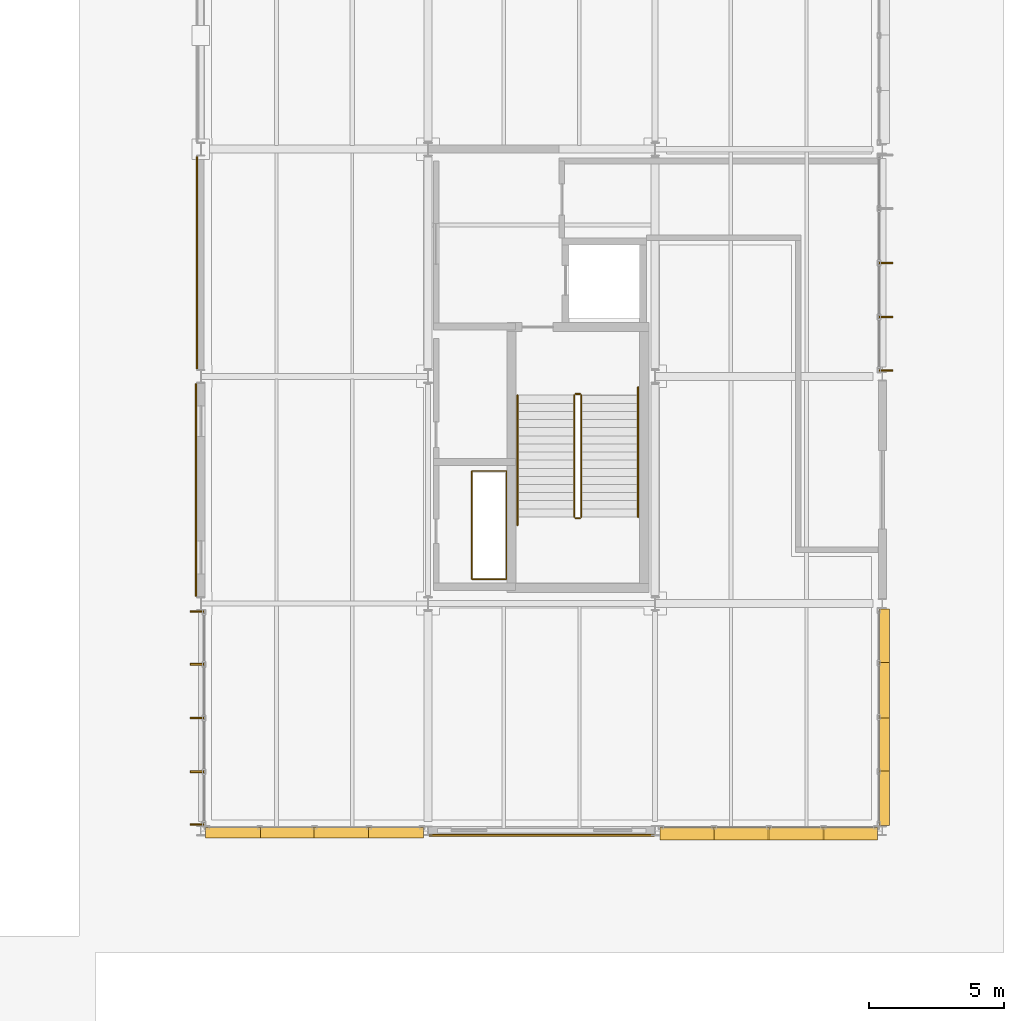
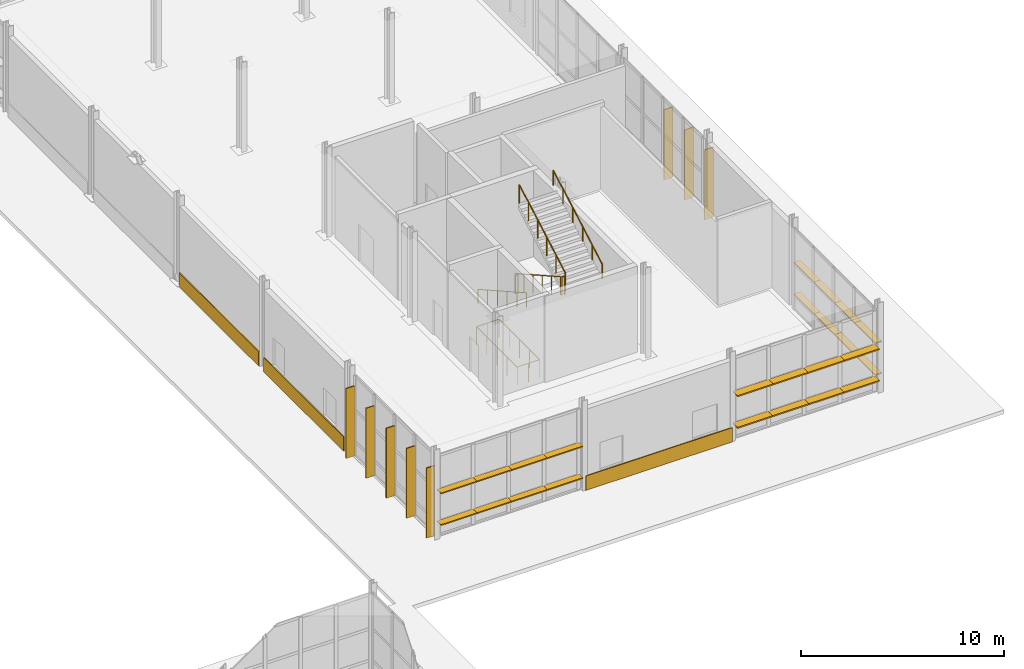
# One storey, part 117 of 124: 32 shading devices, 7 railings, 3 coverings.
"""IFC4 building model written with IfcOpenShell, lengths in metres."""

from ifc_helpers import new_model, si_unit, direction, frame, origin, origin_2d, place, context, subcontext, project, spatial, rectangle, circle, extrude, material, layer, layer_set, type_object, element, save


model = new_model("IFC4")

# Units and contexts
model_context = context("Model", 3, precision=1e-05, world=origin(), true_north=direction((0.0, 1.0)))
body_context = subcontext(model_context, "Body", "Model", "MODEL_VIEW")
ifc_project = project(units=[si_unit("LENGTHUNIT", "METRE"), si_unit("AREAUNIT", "SQUARE_METRE"), si_unit("VOLUMEUNIT", "CUBIC_METRE"), si_unit("PLANEANGLEUNIT", "RADIAN"), si_unit("MASSUNIT", "GRAM", prefix="KILO")], contexts=[model_context])

# Site, building, storey
site_placement = place(None, origin())
site = spatial("IfcSite", under=ifc_project, at=site_placement, CompositionType="ELEMENT")
building_placement = place(site_placement, origin())
building = spatial("IfcBuilding", under=site, at=building_placement, Name="Mersafa Astral City Hall", CompositionType="ELEMENT")
storey_placement = place(building_placement, origin())
storey = spatial("IfcBuildingStorey", under=building, at=storey_placement, Name="L00", CompositionType="ELEMENT", Elevation=0.0)

# Coverings
ifc_material_1 = material(Name="Cairo Mokattam buff limestone cladding", Category="masonry")
ifc_layer = layer(ifc_material_1, 0.06005859375, Name="Cairo Mokattam buff limestone cladding")
ifc_layer_set = layer_set([ifc_layer], Name="Cairo Mokattam buff limestone cladding — ENV-COV-LIMESTONE-60")
covering_type = type_object("IfcCoveringType", Name="ENV-COV-LIMESTONE-60", PredefinedType="CLADDING", material=ifc_layer_set)
for number, where, z_axis, x_axis, name in (
    (1, (159.46044921875, 63.0, 0.0), (0.0, 0.0, 1.0), (0.0, -1.0, 0.0), "L00 Cairo buff limestone rainscreen cladding 25"),
    (2, (159.423095703125, 54.60009765625, 0.0), (0.0, 0.0, 1.0), (0.0, -1.0, 0.0), "L00 Cairo buff limestone rainscreen cladding 26"),
):
    element("IfcCovering", number, at=place(storey_placement, frame(where, z_axis=z_axis, x_axis=x_axis)), inside=storey, type_object=covering_type, Name=name, PredefinedType="CLADDING", context=body_context, shape_type="SweptSolid", body=[
        extrude(rectangle(XDim=7.847900390625, YDim=0.06005859375, at=origin_2d()), origin(), (0.0, 0.0, 1.0), 0.860107421875),
    ])
covering_placement = place(storey_placement, frame((172.199951171875, 41.83056640625, 0.0), z_axis=(0.0, 0.0, 1.0), x_axis=(1.0, 0.0, 0.0)))
element("IfcCovering", 3, at=covering_placement, inside=storey, type_object=covering_type, Name="L00 Cairo buff limestone rainscreen cladding 27", PredefinedType="CLADDING", context=body_context, shape_type="SweptSolid", body=[
    extrude(rectangle(XDim=8.323974609375, YDim=0.06005859375, at=origin_2d()), origin(), (0.0, 0.0, 1.0), 0.860107421875),
])

# Shading devices
ifc_material_2 = material(Name="Anodised bronze aluminium solar fin", Category="aluminium")
shading_device_type_1 = type_object("IfcShadingDeviceType", Name="ENV-SHD-FIN-500B", PredefinedType="USERDEFINED", material=ifc_material_2)
for number, where, z_axis, x_axis, name in (
    (4, (159.455078125, 50.10791015625, -0.01513671875), (0.0, 0.0, 1.0), (0.0, -1.0, 0.0), "L00 Vertical bronze solar fin 138"),
    (5, (159.455078125, 48.151611328125, -0.01513671875), (0.0, 0.0, 1.0), (0.0, -1.0, 0.0), "L00 Vertical bronze solar fin 139"),
    (6, (159.455078125, 46.1650390625, -0.01513671875), (0.0, 0.0, 1.0), (0.0, -1.0, 0.0), "L00 Vertical bronze solar fin 140"),
    (7, (159.455078125, 44.178466796875, -0.01513671875), (0.0, 0.0, 1.0), (0.0, -1.0, 0.0), "L00 Vertical bronze solar fin 141"),
    (8, (159.455078125, 42.221923828125, -0.01513671875), (0.0, 0.0, 1.0), (0.0, -1.0, 0.0), "L00 Vertical bronze solar fin 142"),
    (9, (184.945068359375, 59.011962890625, -0.01513671875), (0.0, 0.0, 1.0), (0.0, 1.0, 0.0), "L00 Vertical bronze solar fin 167"),
    (10, (184.945068359375, 60.988525390625, -0.01513671875), (0.0, 0.0, 1.0), (0.0, 1.0, 0.0), "L00 Vertical bronze solar fin 168"),
    (11, (184.945068359375, 62.9951171875, -0.01513671875), (0.0, 0.0, 1.0), (0.0, 1.0, 0.0), "L00 Vertical bronze solar fin 169"),
):
    element("IfcShadingDevice", number, at=place(storey_placement, frame(where, z_axis=z_axis, x_axis=x_axis)), inside=storey, type_object=shading_device_type_1, Name=name, ObjectType="FIN", PredefinedType="USERDEFINED", context=body_context, shape_type="SweptSolid", body=[
        extrude(rectangle(XDim=0.06005859375, YDim=0.5, at=origin_2d()), origin(), (0.0, 0.0, 1.0), 4.199951171875),
    ])
ifc_material_3 = material(Name="Kiln-dried cedar timber brise-soleil blade", Category="wood")
shading_device_type_2 = type_object("IfcShadingDeviceType", Name="ENV-SHD-LOUVRE-380", PredefinedType="JALOUSIE", material=ifc_material_3)
shading_device_1_placement = place(storey_placement, frame((160.78662109375, 41.919921875, 0.81494140625), z_axis=(0.0, 0.0, 1.0), x_axis=(1.0, 0.0, 0.0)))
element("IfcShadingDevice", 12, at=shading_device_1_placement, inside=storey, type_object=shading_device_type_2, Name="L00 Horizontal cedar brise-soleil louvre 143", PredefinedType="JALOUSIE", context=body_context, shape_type="SweptSolid", body=[
    extrude(rectangle(XDim=2.029052734375, YDim=0.3798828125, at=origin_2d()), origin(), (0.0, 0.0, 1.0), 0.070068359375),
])
for number, where, z_axis, x_axis, name in (
    (13, (162.79052734375, 41.919921875, 0.81494140625), (0.0, 0.0, 1.0), (1.0, 0.0, 0.0), "L00 Horizontal cedar brise-soleil louvre 144"),
    (14, (164.8095703125, 41.919921875, 0.81494140625), (0.0, 0.0, 1.0), (1.0, 0.0, 0.0), "L00 Horizontal cedar brise-soleil louvre 145"),
):
    element("IfcShadingDevice", number, at=place(storey_placement, frame(where, z_axis=z_axis, x_axis=x_axis)), inside=storey, type_object=shading_device_type_2, Name=name, PredefinedType="JALOUSIE", context=body_context, shape_type="SweptSolid", body=[
        extrude(rectangle(XDim=2.05908203125, YDim=0.3798828125, at=origin_2d()), origin(), (0.0, 0.0, 1.0), 0.070068359375),
    ])
for number, where, z_axis, x_axis, name in (
    (15, (166.8134765625, 41.919921875, 0.81494140625), (0.0, 0.0, 1.0), (1.0, 0.0, 0.0), "L00 Horizontal cedar brise-soleil louvre 146"),
    (16, (160.78662109375, 41.919921875, 2.71484375), (0.0, 0.0, 1.0), (1.0, 0.0, 0.0), "L00 Horizontal cedar brise-soleil louvre 147"),
):
    element("IfcShadingDevice", number, at=place(storey_placement, frame(where, z_axis=z_axis, x_axis=x_axis)), inside=storey, type_object=shading_device_type_2, Name=name, PredefinedType="JALOUSIE", context=body_context, shape_type="SweptSolid", body=[
        extrude(rectangle(XDim=2.029052734375, YDim=0.3798828125, at=origin_2d()), origin(), (0.0, 0.0, 1.0), 0.070068359375),
    ])
for number, where, z_axis, x_axis, name in (
    (17, (162.79052734375, 41.919921875, 2.71484375), (0.0, 0.0, 1.0), (1.0, 0.0, 0.0), "L00 Horizontal cedar brise-soleil louvre 148"),
    (18, (164.8095703125, 41.919921875, 2.71484375), (0.0, 0.0, 1.0), (1.0, 0.0, 0.0), "L00 Horizontal cedar brise-soleil louvre 149"),
):
    element("IfcShadingDevice", number, at=place(storey_placement, frame(where, z_axis=z_axis, x_axis=x_axis)), inside=storey, type_object=shading_device_type_2, Name=name, PredefinedType="JALOUSIE", context=body_context, shape_type="SweptSolid", body=[
        extrude(rectangle(XDim=2.05908203125, YDim=0.3798828125, at=origin_2d()), origin(), (0.0, 0.0, 1.0), 0.070068359375),
    ])
shading_device_2_placement = place(storey_placement, frame((166.8134765625, 41.919921875, 2.71484375), z_axis=(0.0, 0.0, 1.0), x_axis=(1.0, 0.0, 0.0)))
element("IfcShadingDevice", 19, at=shading_device_2_placement, inside=storey, type_object=shading_device_type_2, Name="L00 Horizontal cedar brise-soleil louvre 150", PredefinedType="JALOUSIE", context=body_context, shape_type="SweptSolid", body=[
    extrude(rectangle(XDim=2.029052734375, YDim=0.3798828125, at=origin_2d()), origin(), (0.0, 0.0, 1.0), 0.070068359375),
])
shading_device_3_placement = place(storey_placement, frame((184.8798828125, 43.2001953125, 0.81494140625), z_axis=(0.0, 0.0, 1.0), x_axis=(0.0, 1.0, 0.0)))
element("IfcShadingDevice", 20, at=shading_device_3_placement, inside=storey, type_object=shading_device_type_2, Name="L00 Horizontal cedar brise-soleil louvre 159", PredefinedType="JALOUSIE", context=body_context, shape_type="SweptSolid", body=[
    extrude(rectangle(XDim=2.0166015625, YDim=0.3798828125, at=origin_2d()), origin(), (0.0, 0.0, 1.0), 0.070068359375),
])
for number, where, z_axis, x_axis, name in (
    (21, (184.8798828125, 45.191650390625, 0.81494140625), (0.0, 0.0, 1.0), (0.0, 1.0, 0.0), "L00 Horizontal cedar brise-soleil louvre 160"),
    (22, (184.8798828125, 47.1982421875, 0.81494140625), (0.0, 0.0, 1.0), (0.0, 1.0, 0.0), "L00 Horizontal cedar brise-soleil louvre 161"),
):
    element("IfcShadingDevice", number, at=place(storey_placement, frame(where, z_axis=z_axis, x_axis=x_axis)), inside=storey, type_object=shading_device_type_2, Name=name, PredefinedType="JALOUSIE", context=body_context, shape_type="SweptSolid", body=[
        extrude(rectangle(XDim=2.04638671875, YDim=0.3798828125, at=origin_2d()), origin(), (0.0, 0.0, 1.0), 0.070068359375),
    ])
for number, where, z_axis, x_axis, name in (
    (23, (184.8798828125, 49.189697265625, 0.81494140625), (0.0, 0.0, 1.0), (0.0, 1.0, 0.0), "L00 Horizontal cedar brise-soleil louvre 162"),
    (24, (184.8798828125, 43.2001953125, 2.71484375), (0.0, 0.0, 1.0), (0.0, 1.0, 0.0), "L00 Horizontal cedar brise-soleil louvre 163"),
):
    element("IfcShadingDevice", number, at=place(storey_placement, frame(where, z_axis=z_axis, x_axis=x_axis)), inside=storey, type_object=shading_device_type_2, Name=name, PredefinedType="JALOUSIE", context=body_context, shape_type="SweptSolid", body=[
        extrude(rectangle(XDim=2.0166015625, YDim=0.3798828125, at=origin_2d()), origin(), (0.0, 0.0, 1.0), 0.070068359375),
    ])
for number, where, z_axis, x_axis, name in (
    (25, (184.8798828125, 45.191650390625, 2.71484375), (0.0, 0.0, 1.0), (0.0, 1.0, 0.0), "L00 Horizontal cedar brise-soleil louvre 164"),
    (26, (184.8798828125, 47.1982421875, 2.71484375), (0.0, 0.0, 1.0), (0.0, 1.0, 0.0), "L00 Horizontal cedar brise-soleil louvre 165"),
):
    element("IfcShadingDevice", number, at=place(storey_placement, frame(where, z_axis=z_axis, x_axis=x_axis)), inside=storey, type_object=shading_device_type_2, Name=name, PredefinedType="JALOUSIE", context=body_context, shape_type="SweptSolid", body=[
        extrude(rectangle(XDim=2.04638671875, YDim=0.3798828125, at=origin_2d()), origin(), (0.0, 0.0, 1.0), 0.070068359375),
    ])
shading_device_4_placement = place(storey_placement, frame((184.8798828125, 49.189697265625, 2.71484375), z_axis=(0.0, 0.0, 1.0), x_axis=(0.0, 1.0, 0.0)))
element("IfcShadingDevice", 27, at=shading_device_4_placement, inside=storey, type_object=shading_device_type_2, Name="L00 Horizontal cedar brise-soleil louvre 166", PredefinedType="JALOUSIE", context=body_context, shape_type="SweptSolid", body=[
    extrude(rectangle(XDim=2.0166015625, YDim=0.3798828125, at=origin_2d()), origin(), (0.0, 0.0, 1.0), 0.070068359375),
])
shading_device_type_3 = type_object("IfcShadingDeviceType", Name="ENV-SHD-LOUVRE-450", PredefinedType="JALOUSIE", material=ifc_material_3)
shading_device_5_placement = place(storey_placement, frame((177.58642578125, 41.885009765625, 0.81005859375), z_axis=(0.0, 0.0, 1.0), x_axis=(1.0, 0.0, 0.0)))
element("IfcShadingDevice", 28, at=shading_device_5_placement, inside=storey, type_object=shading_device_type_3, Name="L00 Horizontal cedar brise-soleil louvre 151", PredefinedType="JALOUSIE", context=body_context, shape_type="SweptSolid", body=[
    extrude(rectangle(XDim=2.029052734375, YDim=0.449951171875, at=origin_2d()), origin(), (0.0, 0.0, 1.0), 0.080078125),
])
for number, where, z_axis, x_axis, name in (
    (29, (179.590576171875, 41.885009765625, 0.81005859375), (0.0, 0.0, 1.0), (1.0, 0.0, 0.0), "L00 Horizontal cedar brise-soleil louvre 152"),
    (30, (181.609619140625, 41.885009765625, 0.81005859375), (0.0, 0.0, 1.0), (1.0, 0.0, 0.0), "L00 Horizontal cedar brise-soleil louvre 153"),
):
    element("IfcShadingDevice", number, at=place(storey_placement, frame(where, z_axis=z_axis, x_axis=x_axis)), inside=storey, type_object=shading_device_type_3, Name=name, PredefinedType="JALOUSIE", context=body_context, shape_type="SweptSolid", body=[
        extrude(rectangle(XDim=2.05908203125, YDim=0.449951171875, at=origin_2d()), origin(), (0.0, 0.0, 1.0), 0.080078125),
    ])
for number, where, z_axis, x_axis, name in (
    (31, (183.613525390625, 41.885009765625, 0.81005859375), (0.0, 0.0, 1.0), (1.0, 0.0, 0.0), "L00 Horizontal cedar brise-soleil louvre 154"),
    (32, (177.58642578125, 41.885009765625, 2.7099609375), (0.0, 0.0, 1.0), (1.0, 0.0, 0.0), "L00 Horizontal cedar brise-soleil louvre 155"),
):
    element("IfcShadingDevice", number, at=place(storey_placement, frame(where, z_axis=z_axis, x_axis=x_axis)), inside=storey, type_object=shading_device_type_3, Name=name, PredefinedType="JALOUSIE", context=body_context, shape_type="SweptSolid", body=[
        extrude(rectangle(XDim=2.029052734375, YDim=0.449951171875, at=origin_2d()), origin(), (0.0, 0.0, 1.0), 0.080078125),
    ])
for number, where, z_axis, x_axis, name in (
    (33, (179.590576171875, 41.885009765625, 2.7099609375), (0.0, 0.0, 1.0), (1.0, 0.0, 0.0), "L00 Horizontal cedar brise-soleil louvre 156"),
    (34, (181.609619140625, 41.885009765625, 2.7099609375), (0.0, 0.0, 1.0), (1.0, 0.0, 0.0), "L00 Horizontal cedar brise-soleil louvre 157"),
):
    element("IfcShadingDevice", number, at=place(storey_placement, frame(where, z_axis=z_axis, x_axis=x_axis)), inside=storey, type_object=shading_device_type_3, Name=name, PredefinedType="JALOUSIE", context=body_context, shape_type="SweptSolid", body=[
        extrude(rectangle(XDim=2.05908203125, YDim=0.449951171875, at=origin_2d()), origin(), (0.0, 0.0, 1.0), 0.080078125),
    ])
shading_device_6_placement = place(storey_placement, frame((183.613525390625, 41.885009765625, 2.7099609375), z_axis=(0.0, 0.0, 1.0), x_axis=(1.0, 0.0, 0.0)))
element("IfcShadingDevice", 35, at=shading_device_6_placement, inside=storey, type_object=shading_device_type_3, Name="L00 Horizontal cedar brise-soleil louvre 158", PredefinedType="JALOUSIE", context=body_context, shape_type="SweptSolid", body=[
    extrude(rectangle(XDim=2.029052734375, YDim=0.449951171875, at=origin_2d()), origin(), (0.0, 0.0, 1.0), 0.080078125),
])

# Railings
ifc_material_4 = material(Name="Painted architectural steel stair guard balustrade", Category="steel")
railing_type_1 = type_object("IfcRailingType", Name="GUARD-RAIL", PredefinedType="BALUSTRADE", material=ifc_material_4)
railing_1_placement = place(storey_placement, frame((173.409912109375, 58.10009765625, 0.168701171875)))
element("IfcRailing", 36, at=railing_1_placement, inside=storey, type_object=railing_type_1, Name="L00 ST4 stair guard 1", PredefinedType="BALUSTRADE", context=body_context, shape_type="SweptSolid", body=[
    extrude(circle(Radius=0.02392578125, at=origin_2d()), frame((0.0, 0.0, 1.09619140625), z_axis=(0.0, -0.871575537125, 0.490261239633), x_axis=(1.0, 0.0, 0.0)), (0.0, 0.0, 1.0), 5.1630859375),
    extrude(circle(Radius=0.02099609375, at=origin_2d()), origin(), (0.0, 0.0, 1.0), 1.072021484375),
    extrude(circle(Radius=0.02099609375, at=origin_2d()), frame((0.0, -0.89990234375, 0.50634765625)), (0.0, 0.0, 1.0), 1.072021484375),
    extrude(circle(Radius=0.02099609375, at=origin_2d()), frame((0.0, -1.800048828125, 1.012451171875)), (0.0, 0.0, 1.0), 1.072021484375),
    extrude(circle(Radius=0.02099609375, at=origin_2d()), frame((0.0, -2.699951171875, 1.518798828125)), (0.0, 0.0, 1.0), 1.072021484375),
    extrude(circle(Radius=0.02099609375, at=origin_2d()), frame((0.0, -3.60009765625, 2.02490234375)), (0.0, 0.0, 1.0), 1.072021484375),
    extrude(circle(Radius=0.02099609375, at=origin_2d()), frame((0.0, -4.5, 2.53125)), (0.0, 0.0, 1.0), 1.072021484375),
])
railing_2_placement = place(storey_placement, frame((173.4599609375, 53.550048828125, 2.699951171875)))
element("IfcRailing", 37, at=railing_2_placement, inside=storey, type_object=railing_type_1, Name="L00 ST4 stair guard 2", PredefinedType="BALUSTRADE", context=body_context, shape_type="SweptSolid", body=[
    extrude(circle(Radius=0.02392578125, at=origin_2d()), frame((0.0, 0.0, 1.09619140625), z_axis=(1.0, 0.0, 0.0), x_axis=(0.0, 1.0, 0.0)), (0.0, 0.0, 1.0), 0.16015625),
    extrude(circle(Radius=0.02099609375, at=origin_2d()), origin(), (0.0, 0.0, 1.0), 1.072021484375),
    extrude(circle(Radius=0.02099609375, at=origin_2d()), frame((0.16015625, 0.0, 0.0)), (0.0, 0.0, 1.0), 1.072021484375),
])
railing_3_placement = place(storey_placement, frame((173.669921875, 53.60009765625, 2.86865234375)))
element("IfcRailing", 38, at=railing_3_placement, inside=storey, type_object=railing_type_1, Name="L00 ST4 stair guard 3", PredefinedType="BALUSTRADE", context=body_context, shape_type="SweptSolid", body=[
    extrude(circle(Radius=0.02392578125, at=origin_2d()), frame((0.0, 0.0, 1.09619140625), z_axis=(0.0, 0.871575537125, 0.490261239633), x_axis=(-1.0, 0.0, 0.0)), (0.0, 0.0, 1.0), 5.1630859375),
    extrude(circle(Radius=0.02099609375, at=origin_2d()), origin(), (0.0, 0.0, 1.0), 1.072021484375),
    extrude(circle(Radius=0.02099609375, at=origin_2d()), frame((0.0, 0.89990234375, 0.50634765625)), (0.0, 0.0, 1.0), 1.072021484375),
    extrude(circle(Radius=0.02099609375, at=origin_2d()), frame((0.0, 1.800048828125, 1.012451171875)), (0.0, 0.0, 1.0), 1.072021484375),
    extrude(circle(Radius=0.02099609375, at=origin_2d()), frame((0.0, 2.699951171875, 1.518798828125)), (0.0, 0.0, 1.0), 1.072021484375),
    extrude(circle(Radius=0.02099609375, at=origin_2d()), frame((0.0, 3.60009765625, 2.02490234375)), (0.0, 0.0, 1.0), 1.072021484375),
    extrude(circle(Radius=0.02099609375, at=origin_2d()), frame((0.0, 4.5, 2.53125)), (0.0, 0.0, 1.0), 1.072021484375),
])
railing_4_placement = place(storey_placement, frame((173.4599609375, 58.14990234375, 0.0)))
element("IfcRailing", 39, at=railing_4_placement, inside=storey, type_object=railing_type_1, Name="L00 ST4 stair guard 4", PredefinedType="BALUSTRADE", context=body_context, shape_type="SweptSolid", body=[
    extrude(circle(Radius=0.02392578125, at=origin_2d()), frame((0.0, 0.0, 1.09619140625), z_axis=(1.0, 0.0, 0.0), x_axis=(0.0, 1.0, 0.0)), (0.0, 0.0, 1.0), 0.16015625),
    extrude(circle(Radius=0.02099609375, at=origin_2d()), origin(), (0.0, 0.0, 1.0), 1.072021484375),
    extrude(circle(Radius=0.02099609375, at=origin_2d()), frame((0.16015625, 0.0, 0.0)), (0.0, 0.0, 1.0), 1.072021484375),
])
railing_5_placement = place(storey_placement, frame((169.6201171875, 51.300048828125, 0.0)))
element("IfcRailing", 40, at=railing_5_placement, inside=storey, type_object=railing_type_1, Name="L00 K4 MEP Riser Shaft Guard", PredefinedType="BALUSTRADE", context=body_context, shape_type="SweptSolid", body=[
    extrude(circle(Radius=0.02392578125, at=origin_2d()), frame((0.0, 0.0, 1.09619140625), z_axis=(1.0, 0.0, 0.0), x_axis=(0.0, 1.0, 0.0)), (0.0, 0.0, 1.0), 1.27978515625),
    extrude(circle(Radius=0.02392578125, at=origin_2d()), frame((1.27978515625, 0.0, 1.09619140625), z_axis=(0.0, 1.0, 0.0), x_axis=(-1.0, 0.0, 0.0)), (0.0, 0.0, 1.0), 4.0),
    extrude(circle(Radius=0.02392578125, at=origin_2d()), frame((1.27978515625, 4.0, 1.09619140625), z_axis=(-1.0, 0.0, 0.0), x_axis=(0.0, -1.0, 0.0)), (0.0, 0.0, 1.0), 1.27978515625),
    extrude(circle(Radius=0.02392578125, at=origin_2d()), frame((0.0, 4.0, 1.09619140625), z_axis=(0.0, -1.0, 0.0), x_axis=(1.0, 0.0, 0.0)), (0.0, 0.0, 1.0), 4.0),
    extrude(circle(Radius=0.02099609375, at=origin_2d()), origin(), (0.0, 0.0, 1.0), 1.072021484375),
    extrude(circle(Radius=0.02099609375, at=origin_2d()), frame((0.639892578125, 0.0, 0.0)), (0.0, 0.0, 1.0), 1.072021484375),
    extrude(circle(Radius=0.02099609375, at=origin_2d()), frame((1.27978515625, 0.0, 0.0)), (0.0, 0.0, 1.0), 1.072021484375),
    extrude(circle(Radius=0.02099609375, at=origin_2d()), frame((1.27978515625, 1.0, 0.0)), (0.0, 0.0, 1.0), 1.072021484375),
    extrude(circle(Radius=0.02099609375, at=origin_2d()), frame((1.27978515625, 2.0, 0.0)), (0.0, 0.0, 1.0), 1.072021484375),
    extrude(circle(Radius=0.02099609375, at=origin_2d()), frame((1.27978515625, 3.0, 0.0)), (0.0, 0.0, 1.0), 1.072021484375),
    extrude(circle(Radius=0.02099609375, at=origin_2d()), frame((1.27978515625, 4.0, 0.0)), (0.0, 0.0, 1.0), 1.072021484375),
    extrude(circle(Radius=0.02099609375, at=origin_2d()), frame((0.639892578125, 4.0, 0.0)), (0.0, 0.0, 1.0), 1.072021484375),
    extrude(circle(Radius=0.02099609375, at=origin_2d()), frame((0.0, 4.0, 0.0)), (0.0, 0.0, 1.0), 1.072021484375),
    extrude(circle(Radius=0.02099609375, at=origin_2d()), frame((0.0, 3.0, 0.0)), (0.0, 0.0, 1.0), 1.072021484375),
    extrude(circle(Radius=0.02099609375, at=origin_2d()), frame((0.0, 2.0, 0.0)), (0.0, 0.0, 1.0), 1.072021484375),
    extrude(circle(Radius=0.02099609375, at=origin_2d()), frame((0.0, 1.0, 0.0)), (0.0, 0.0, 1.0), 1.072021484375),
])
ifc_material_5 = material(Name="Brushed stainless steel tubular handrail", Category="steel")
railing_type_2 = type_object("IfcRailingType", Name="HANDRAIL", PredefinedType="HANDRAIL", material=ifc_material_5)
railing_6_placement = place(storey_placement, frame((171.31005859375, 58.10009765625, 0.168701171875)))
element("IfcRailing", 41, at=railing_6_placement, inside=storey, type_object=railing_type_2, Name="L00 ST4 stair handrail 1", PredefinedType="HANDRAIL", context=body_context, shape_type="SweptSolid", body=[
    extrude(circle(Radius=0.02392578125, at=origin_2d()), frame((0.0, 0.0, 0.8759765625), z_axis=(0.0, -0.871335168691, 0.49068831635), x_axis=(1.0, 0.0, 0.0)), (0.0, 0.0, 1.0), 5.5087890625),
    extrude(circle(Radius=0.02099609375, at=origin_2d()), origin(), (0.0, 0.0, 1.0), 0.851806640625),
    extrude(circle(Radius=0.02099609375, at=origin_2d()), frame((0.0, -0.9599609375, 0.54052734375)), (0.0, 0.0, 1.0), 0.851806640625),
    extrude(circle(Radius=0.02099609375, at=origin_2d()), frame((0.0, -1.919921875, 1.081298828125)), (0.0, 0.0, 1.0), 0.851806640625),
    extrude(circle(Radius=0.02099609375, at=origin_2d()), frame((0.0, -2.880126953125, 1.621826171875)), (0.0, 0.0, 1.0), 0.851806640625),
    extrude(circle(Radius=0.02099609375, at=origin_2d()), frame((0.0, -3.840087890625, 2.16259765625)), (0.0, 0.0, 1.0), 0.851806640625),
    extrude(circle(Radius=0.02099609375, at=origin_2d()), frame((0.0, -4.800048828125, 2.703125)), (0.0, 0.0, 1.0), 0.851806640625),
])
railing_7_placement = place(storey_placement, frame((175.77001953125, 53.60009765625, 2.86865234375)))
element("IfcRailing", 42, at=railing_7_placement, inside=storey, type_object=railing_type_2, Name="L00 ST4 stair handrail 2", PredefinedType="HANDRAIL", context=body_context, shape_type="SweptSolid", body=[
    extrude(circle(Radius=0.02392578125, at=origin_2d()), frame((0.0, 0.0, 0.8759765625), z_axis=(0.0, 0.871324497418, 0.49070726528), x_axis=(-1.0, 0.0, 0.0)), (0.0, 0.0, 1.0), 5.508544921875),
    extrude(circle(Radius=0.02099609375, at=origin_2d()), origin(), (0.0, 0.0, 1.0), 0.851806640625),
    extrude(circle(Radius=0.02099609375, at=origin_2d()), frame((0.0, 0.9599609375, 0.54052734375)), (0.0, 0.0, 1.0), 0.851806640625),
    extrude(circle(Radius=0.02099609375, at=origin_2d()), frame((0.0, 1.919921875, 1.081298828125)), (0.0, 0.0, 1.0), 0.851806640625),
    extrude(circle(Radius=0.02099609375, at=origin_2d()), frame((0.0, 2.8798828125, 1.621826171875)), (0.0, 0.0, 1.0), 0.851806640625),
    extrude(circle(Radius=0.02099609375, at=origin_2d()), frame((0.0, 3.83984375, 2.16259765625)), (0.0, 0.0, 1.0), 0.851806640625),
    extrude(circle(Radius=0.02099609375, at=origin_2d()), frame((0.0, 4.7998046875, 2.703125)), (0.0, 0.0, 1.0), 0.851806640625),
])

save(model, "model.ifc")
